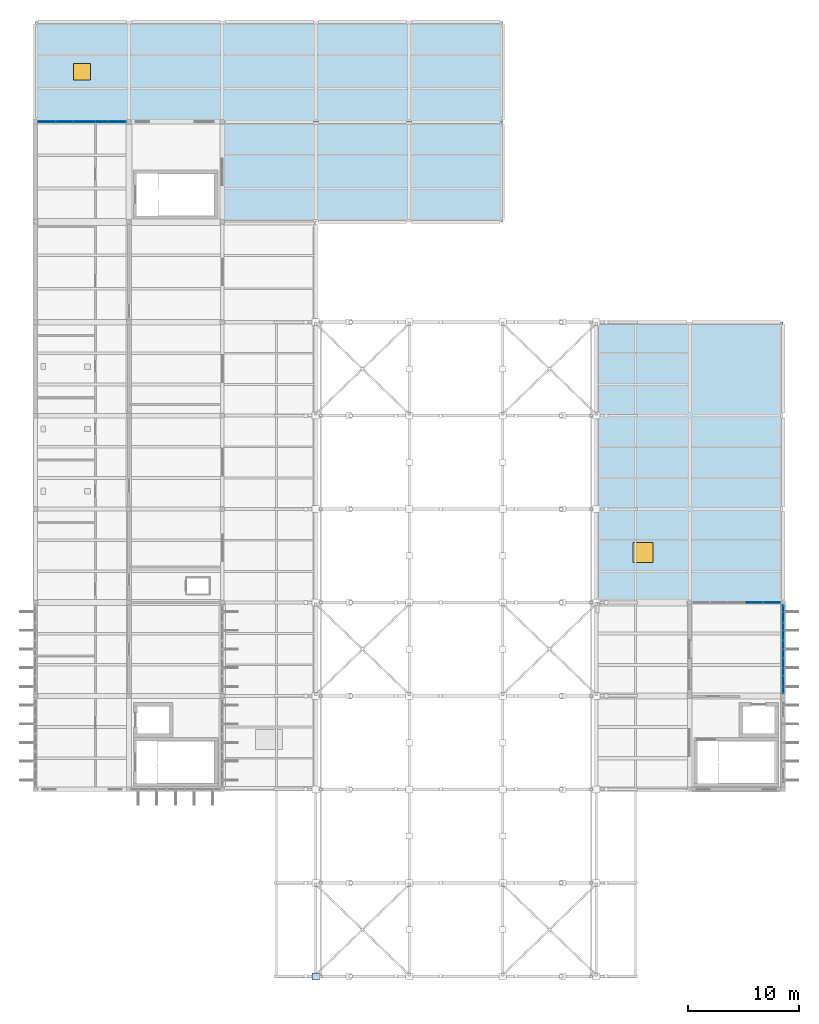
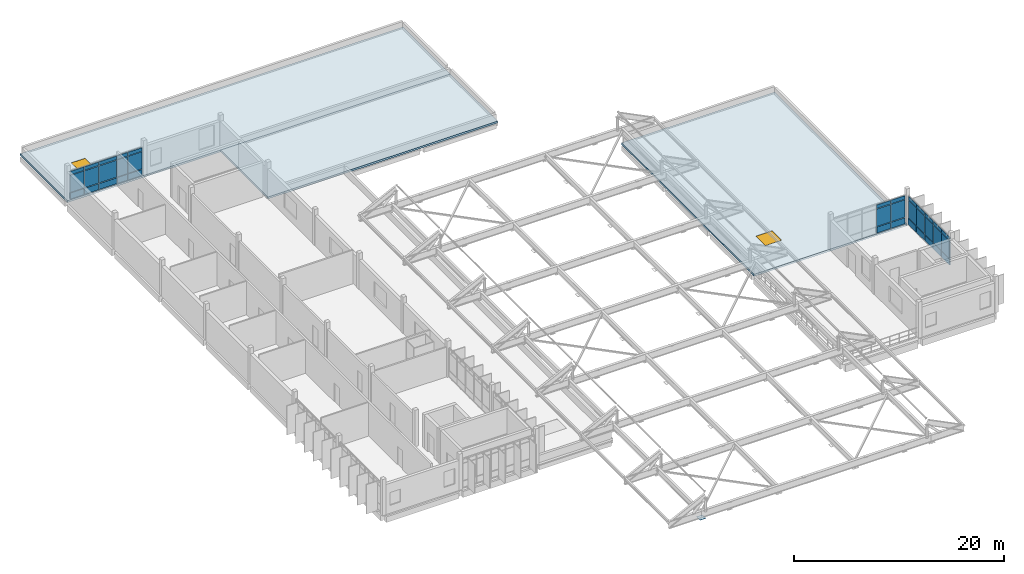
# One storey, part 27 of 41: 37 plates, 3 slabs, 2 windows, 2 openings, 3 elements without a shape of their own.
"""IFC4 building model written with IfcOpenShell, lengths in metres."""

from ifc_helpers import new_model, si_unit, direction, frame, origin, origin_2d, place, context, subcontext, project, spatial, polyline, rectangle, outline, extrude, material, layer, layer_set, type_object, element, fill, aggregate, save


model = new_model("IFC4")

# Units and contexts
model_context = context("Model", 3, precision=1e-05, world=origin(), true_north=direction((0.0, 1.0)))
body_context = subcontext(model_context, "Body", "Model", "MODEL_VIEW")
ifc_project = project(units=[si_unit("LENGTHUNIT", "METRE"), si_unit("AREAUNIT", "SQUARE_METRE"), si_unit("VOLUMEUNIT", "CUBIC_METRE"), si_unit("PLANEANGLEUNIT", "RADIAN"), si_unit("MASSUNIT", "GRAM", prefix="KILO")], contexts=[model_context])

# Site, building, storey
site_placement = place(None, origin())
site = spatial("IfcSite", under=ifc_project, at=site_placement, CompositionType="ELEMENT")
building_placement = place(site_placement, origin())
building = spatial("IfcBuilding", under=site, at=building_placement, Name="Vireocrest Preparatory School", CompositionType="ELEMENT")
storey_placement = place(building_placement, frame((0.0, 0.0, 21.60009765625)))
storey = spatial("IfcBuildingStorey", under=building, at=storey_placement, Name="L05", CompositionType="ELEMENT", Elevation=21.60009765625)

# Curtain wall, plates
ifc_material_1 = material(Name="Thermally broken aluminium EN AW-6063-T6", Category="aluminium")
ifc_layer_1 = layer(ifc_material_1, 0.179931640625)
ifc_layer_set_1 = layer_set([ifc_layer_1], Name="Thermally broken aluminium EN AW-6063-T6")
curtain_wall_type_1 = type_object("IfcCurtainWallType", Name="Teaching Fin Curtain Wall 8400x4200", PredefinedType="USERDEFINED", material=ifc_layer_set_1)
curtain_wall_1_placement = place(storey_placement, origin())
curtain_wall_1 = element("IfcCurtainWall", 1, at=curtain_wall_1_placement, inside=storey, type_object=curtain_wall_type_1, Name="Curtain Wall CW03 CW_L05_CW03_1092_0524_216", ObjectType="CURTAIN WALL", PredefinedType="USERDEFINED")
ifc_material_2 = material(Name="Insulated triple low-e tempered safety glass", Category="glass")
ifc_layer_2 = layer(ifc_material_2, 0.074951171875)
ifc_layer_set_2 = layer_set([ifc_layer_2], Name="Insulated triple low-e tempered safety glass")
plate_type_1 = type_object("IfcPlateType", Name="Acoustic Triple-Glazed Lab Curtain Panel 75", PredefinedType="CURTAIN_PANEL", material=ifc_layer_set_2)
plate_1_placement = place(storey_placement, frame((109.199951171875, 53.22802734375, 0.88232421875), z_axis=(0.0, 0.0, 1.0), x_axis=(0.0, 1.0, 0.0)))
plate_1 = element("IfcPlate", 2, at=plate_1_placement, type_object=plate_type_1, Name="CW Panel GL2 CW_L05_CW03_1092_0524_216-1-2", PredefinedType="CURTAIN_PANEL", context=body_context, shape_type="SweptSolid", body=[
    extrude(rectangle(XDim=1.52099609375, YDim=0.074951171875, at=origin_2d()), origin(), (0.0, 0.0, 1.0), 2.014892578125),
])
plate_2_placement = place(storey_placement, frame((109.199951171875, 53.22802734375, 2.96240234375), z_axis=(0.0, 0.0, 1.0), x_axis=(0.0, 1.0, 0.0)))
plate_2 = element("IfcPlate", 3, at=plate_2_placement, type_object=plate_type_1, Name="CW Panel GL2 CW_L05_CW03_1092_0524_216-1-3", PredefinedType="CURTAIN_PANEL", context=body_context, shape_type="SweptSolid", body=[
    extrude(rectangle(XDim=1.52099609375, YDim=0.074951171875, at=origin_2d()), origin(), (0.0, 0.0, 1.0), 0.409912109375),
])
plate_3_placement = place(storey_placement, frame((109.199951171875, 54.81396484375, 0.88232421875), z_axis=(0.0, 0.0, 1.0), x_axis=(0.0, 1.0, 0.0)))
plate_3 = element("IfcPlate", 4, at=plate_3_placement, type_object=plate_type_1, Name="CW Panel GL2 CW_L05_CW03_1092_0524_216-2-2", PredefinedType="CURTAIN_PANEL", context=body_context, shape_type="SweptSolid", body=[
    extrude(rectangle(XDim=1.52099609375, YDim=0.074951171875, at=origin_2d()), origin(), (0.0, 0.0, 1.0), 2.014892578125),
])
plate_4_placement = place(storey_placement, frame((109.199951171875, 54.81396484375, 2.96240234375), z_axis=(0.0, 0.0, 1.0), x_axis=(0.0, 1.0, 0.0)))
plate_4 = element("IfcPlate", 5, at=plate_4_placement, type_object=plate_type_1, Name="CW Panel GL2 CW_L05_CW03_1092_0524_216-2-3", PredefinedType="CURTAIN_PANEL", context=body_context, shape_type="SweptSolid", body=[
    extrude(rectangle(XDim=1.52099609375, YDim=0.074951171875, at=origin_2d()), origin(), (0.0, 0.0, 1.0), 0.409912109375),
])
plate_5_placement = place(storey_placement, frame((109.199951171875, 56.39990234375, 0.88232421875), z_axis=(0.0, 0.0, 1.0), x_axis=(0.0, 1.0, 0.0)))
plate_5 = element("IfcPlate", 6, at=plate_5_placement, type_object=plate_type_1, Name="CW Panel GL2 CW_L05_CW03_1092_0524_216-3-2", PredefinedType="CURTAIN_PANEL", context=body_context, shape_type="SweptSolid", body=[
    extrude(rectangle(XDim=1.52099609375, YDim=0.074951171875, at=origin_2d()), origin(), (0.0, 0.0, 1.0), 2.014892578125),
])
plate_6_placement = place(storey_placement, frame((109.199951171875, 56.39990234375, 2.96240234375), z_axis=(0.0, 0.0, 1.0), x_axis=(0.0, 1.0, 0.0)))
plate_6 = element("IfcPlate", 7, at=plate_6_placement, type_object=plate_type_1, Name="CW Panel GL2 CW_L05_CW03_1092_0524_216-3-3", PredefinedType="CURTAIN_PANEL", context=body_context, shape_type="SweptSolid", body=[
    extrude(rectangle(XDim=1.52099609375, YDim=0.074951171875, at=origin_2d()), origin(), (0.0, 0.0, 1.0), 0.409912109375),
])
plate_7_placement = place(storey_placement, frame((109.199951171875, 57.986083984375, 0.88232421875), z_axis=(0.0, 0.0, 1.0), x_axis=(0.0, 1.0, 0.0)))
plate_7 = element("IfcPlate", 8, at=plate_7_placement, type_object=plate_type_1, Name="CW Panel GL2 CW_L05_CW03_1092_0524_216-4-2", PredefinedType="CURTAIN_PANEL", context=body_context, shape_type="SweptSolid", body=[
    extrude(rectangle(XDim=1.52099609375, YDim=0.074951171875, at=origin_2d()), origin(), (0.0, 0.0, 1.0), 2.014892578125),
])
plate_8_placement = place(storey_placement, frame((109.199951171875, 57.986083984375, 2.96240234375), z_axis=(0.0, 0.0, 1.0), x_axis=(0.0, 1.0, 0.0)))
plate_8 = element("IfcPlate", 9, at=plate_8_placement, type_object=plate_type_1, Name="CW Panel GL2 CW_L05_CW03_1092_0524_216-4-3", PredefinedType="CURTAIN_PANEL", context=body_context, shape_type="SweptSolid", body=[
    extrude(rectangle(XDim=1.52099609375, YDim=0.074951171875, at=origin_2d()), origin(), (0.0, 0.0, 1.0), 0.409912109375),
])
plate_9_placement = place(storey_placement, frame((109.199951171875, 59.572021484375, 0.88232421875), z_axis=(0.0, 0.0, 1.0), x_axis=(0.0, 1.0, 0.0)))
plate_9 = element("IfcPlate", 10, at=plate_9_placement, type_object=plate_type_1, Name="CW Panel GL2 CW_L05_CW03_1092_0524_216-5-2", PredefinedType="CURTAIN_PANEL", context=body_context, shape_type="SweptSolid", body=[
    extrude(rectangle(XDim=1.52099609375, YDim=0.074951171875, at=origin_2d()), origin(), (0.0, 0.0, 1.0), 2.014892578125),
])
plate_10_placement = place(storey_placement, frame((109.199951171875, 59.572021484375, 2.96240234375), z_axis=(0.0, 0.0, 1.0), x_axis=(0.0, 1.0, 0.0)))
plate_10 = element("IfcPlate", 11, at=plate_10_placement, type_object=plate_type_1, Name="CW Panel GL2 CW_L05_CW03_1092_0524_216-5-3", PredefinedType="CURTAIN_PANEL", context=body_context, shape_type="SweptSolid", body=[
    extrude(rectangle(XDim=1.52099609375, YDim=0.074951171875, at=origin_2d()), origin(), (0.0, 0.0, 1.0), 0.409912109375),
])

ifc_layer_3 = layer(ifc_material_1, 0.179931640625)
ifc_layer_set_3 = layer_set([ifc_layer_3], Name="Thermally broken aluminium EN AW-6063-T6")
curtain_wall_type_2 = type_object("IfcCurtainWallType", Name="North Street Curtain Wall 8400x4000", PredefinedType="USERDEFINED", material=ifc_layer_set_3)
curtain_wall_2_placement = place(storey_placement, origin())
curtain_wall_2 = element("IfcCurtainWall", 12, at=curtain_wall_2_placement, inside=storey, type_object=curtain_wall_type_2, Name="Curtain Wall CW05 CW_L05_CW05_1010_0606_216", ObjectType="CURTAIN WALL", PredefinedType="USERDEFINED")
plate_11_placement = place(storey_placement, frame((106.5859375, 60.60009765625, 0.88232421875), z_axis=(0.0, 0.0, 1.0), x_axis=(1.0, 0.0, 0.0)))
plate_11 = element("IfcPlate", 13, at=plate_11_placement, type_object=plate_type_1, Name="CW Panel GL2 CW_L05_CW05_1010_0606_216-4-2", PredefinedType="CURTAIN_PANEL", context=body_context, shape_type="SweptSolid", body=[
    extrude(rectangle(XDim=1.52099609375, YDim=0.074951171875, at=origin_2d()), origin(), (0.0, 0.0, 1.0), 2.014892578125),
])
plate_12_placement = place(storey_placement, frame((106.5859375, 60.60009765625, 2.96240234375), z_axis=(0.0, 0.0, 1.0), x_axis=(1.0, 0.0, 0.0)))
plate_12 = element("IfcPlate", 14, at=plate_12_placement, type_object=plate_type_1, Name="CW Panel GL2 CW_L05_CW05_1010_0606_216-4-3", PredefinedType="CURTAIN_PANEL", context=body_context, shape_type="SweptSolid", body=[
    extrude(rectangle(XDim=1.52099609375, YDim=0.074951171875, at=origin_2d()), origin(), (0.0, 0.0, 1.0), 0.409912109375),
])
plate_13_placement = place(storey_placement, frame((108.172119140625, 60.60009765625, 0.88232421875), z_axis=(0.0, 0.0, 1.0), x_axis=(1.0, 0.0, 0.0)))
plate_13 = element("IfcPlate", 15, at=plate_13_placement, type_object=plate_type_1, Name="CW Panel GL2 CW_L05_CW05_1010_0606_216-5-2", PredefinedType="CURTAIN_PANEL", context=body_context, shape_type="SweptSolid", body=[
    extrude(rectangle(XDim=1.52099609375, YDim=0.074951171875, at=origin_2d()), origin(), (0.0, 0.0, 1.0), 2.014892578125),
])
plate_14_placement = place(storey_placement, frame((108.172119140625, 60.60009765625, 2.96240234375), z_axis=(0.0, 0.0, 1.0), x_axis=(1.0, 0.0, 0.0)))
plate_14 = element("IfcPlate", 16, at=plate_14_placement, type_object=plate_type_1, Name="CW Panel GL2 CW_L05_CW05_1010_0606_216-5-3", PredefinedType="CURTAIN_PANEL", context=body_context, shape_type="SweptSolid", body=[
    extrude(rectangle(XDim=1.52099609375, YDim=0.074951171875, at=origin_2d()), origin(), (0.0, 0.0, 1.0), 0.409912109375),
])

ifc_layer_4 = layer(ifc_material_1, 0.179931640625)
ifc_layer_set_4 = layer_set([ifc_layer_4], Name="Thermally broken aluminium EN AW-6063-T6")
curtain_wall_type_3 = type_object("IfcCurtainWallType", Name="Library Reading Bay Glazing 7600x4200", PredefinedType="USERDEFINED", material=ifc_layer_set_4)
curtain_wall_3_placement = place(storey_placement, origin())
curtain_wall_3 = element("IfcCurtainWall", 17, at=curtain_wall_3_placement, inside=storey, type_object=curtain_wall_type_3, Name="Curtain Wall CW16 CW_L05_CW16_0422_1038_216", ObjectType="CURTAIN WALL", PredefinedType="USERDEFINED")
plate_15_placement = place(storey_placement, frame((43.028076171875, 103.800048828125, 0.88232421875), z_axis=(0.0, 0.0, 1.0), x_axis=(1.0, 0.0, 0.0)))
plate_15 = element("IfcPlate", 18, at=plate_15_placement, type_object=plate_type_1, Name="CW Panel GL2 CW_L05_CW16_0422_1038_216-1-2", PredefinedType="CURTAIN_PANEL", context=body_context, shape_type="SweptSolid", body=[
    extrude(rectangle(XDim=1.52099609375, YDim=0.074951171875, at=origin_2d()), origin(), (0.0, 0.0, 1.0), 1.965087890625),
])
plate_16_placement = place(storey_placement, frame((43.028076171875, 103.800048828125, 2.91259765625), z_axis=(0.0, 0.0, 1.0), x_axis=(1.0, 0.0, 0.0)))
plate_16 = element("IfcPlate", 19, at=plate_16_placement, type_object=plate_type_1, Name="CW Panel GL2 CW_L05_CW16_0422_1038_216-1-3", PredefinedType="CURTAIN_PANEL", context=body_context, shape_type="SweptSolid", body=[
    extrude(rectangle(XDim=1.52099609375, YDim=0.074951171875, at=origin_2d()), origin(), (0.0, 0.0, 1.0), 0.409912109375),
])
plate_17_placement = place(storey_placement, frame((44.614013671875, 103.800048828125, 0.88232421875), z_axis=(0.0, 0.0, 1.0), x_axis=(1.0, 0.0, 0.0)))
plate_17 = element("IfcPlate", 20, at=plate_17_placement, type_object=plate_type_1, Name="CW Panel GL2 CW_L05_CW16_0422_1038_216-2-2", PredefinedType="CURTAIN_PANEL", context=body_context, shape_type="SweptSolid", body=[
    extrude(rectangle(XDim=1.52099609375, YDim=0.074951171875, at=origin_2d()), origin(), (0.0, 0.0, 1.0), 1.965087890625),
])
plate_18_placement = place(storey_placement, frame((44.614013671875, 103.800048828125, 2.91259765625), z_axis=(0.0, 0.0, 1.0), x_axis=(1.0, 0.0, 0.0)))
plate_18 = element("IfcPlate", 21, at=plate_18_placement, type_object=plate_type_1, Name="CW Panel GL2 CW_L05_CW16_0422_1038_216-2-3", PredefinedType="CURTAIN_PANEL", context=body_context, shape_type="SweptSolid", body=[
    extrude(rectangle(XDim=1.52099609375, YDim=0.074951171875, at=origin_2d()), origin(), (0.0, 0.0, 1.0), 0.409912109375),
])
plate_19_placement = place(storey_placement, frame((46.403564453125, 103.800048828125, 0.88232421875), z_axis=(0.0, 0.0, 1.0), x_axis=(1.0, 0.0, 0.0)))
plate_19 = element("IfcPlate", 22, at=plate_19_placement, type_object=plate_type_1, Name="CW Panel GL2 CW_L05_CW16_0422_1038_216-3-2", PredefinedType="CURTAIN_PANEL", context=body_context, shape_type="SweptSolid", body=[
    extrude(rectangle(XDim=1.927978515625, YDim=0.074951171875, at=origin_2d()), origin(), (0.0, 0.0, 1.0), 1.965087890625),
])
plate_20_placement = place(storey_placement, frame((46.403564453125, 103.800048828125, 2.91259765625), z_axis=(0.0, 0.0, 1.0), x_axis=(1.0, 0.0, 0.0)))
plate_20 = element("IfcPlate", 23, at=plate_20_placement, type_object=plate_type_1, Name="CW Panel GL2 CW_L05_CW16_0422_1038_216-3-3", PredefinedType="CURTAIN_PANEL", context=body_context, shape_type="SweptSolid", body=[
    extrude(rectangle(XDim=1.927978515625, YDim=0.074951171875, at=origin_2d()), origin(), (0.0, 0.0, 1.0), 0.409912109375),
])
plate_21_placement = place(storey_placement, frame((47.989501953125, 103.800048828125, 0.88232421875), z_axis=(0.0, 0.0, 1.0), x_axis=(1.0, 0.0, 0.0)))
plate_21 = element("IfcPlate", 24, at=plate_21_placement, type_object=plate_type_1, Name="CW Panel GL2 CW_L05_CW16_0422_1038_216-4-2", PredefinedType="CURTAIN_PANEL", context=body_context, shape_type="SweptSolid", body=[
    extrude(rectangle(XDim=1.114013671875, YDim=0.074951171875, at=origin_2d()), origin(), (0.0, 0.0, 1.0), 1.965087890625),
])
plate_22_placement = place(storey_placement, frame((47.989501953125, 103.800048828125, 2.91259765625), z_axis=(0.0, 0.0, 1.0), x_axis=(1.0, 0.0, 0.0)))
plate_22 = element("IfcPlate", 25, at=plate_22_placement, type_object=plate_type_1, Name="CW Panel GL2 CW_L05_CW16_0422_1038_216-4-3", PredefinedType="CURTAIN_PANEL", context=body_context, shape_type="SweptSolid", body=[
    extrude(rectangle(XDim=1.114013671875, YDim=0.074951171875, at=origin_2d()), origin(), (0.0, 0.0, 1.0), 0.409912109375),
])
plate_23_placement = place(storey_placement, frame((49.3720703125, 103.800048828125, 0.88232421875), z_axis=(0.0, 0.0, 1.0), x_axis=(1.0, 0.0, 0.0)))
plate_23 = element("IfcPlate", 26, at=plate_23_placement, type_object=plate_type_1, Name="CW Panel GL2 CW_L05_CW16_0422_1038_216-5-2", PredefinedType="CURTAIN_PANEL", context=body_context, shape_type="SweptSolid", body=[
    extrude(rectangle(XDim=1.52099609375, YDim=0.074951171875, at=origin_2d()), origin(), (0.0, 0.0, 1.0), 1.965087890625),
])
plate_24_placement = place(storey_placement, frame((49.3720703125, 103.800048828125, 2.91259765625), z_axis=(0.0, 0.0, 1.0), x_axis=(1.0, 0.0, 0.0)))
plate_24 = element("IfcPlate", 27, at=plate_24_placement, type_object=plate_type_1, Name="CW Panel GL2 CW_L05_CW16_0422_1038_216-5-3", PredefinedType="CURTAIN_PANEL", context=body_context, shape_type="SweptSolid", body=[
    extrude(rectangle(XDim=1.52099609375, YDim=0.074951171875, at=origin_2d()), origin(), (0.0, 0.0, 1.0), 0.409912109375),
])

# Plate
ifc_material_3 = material(Name="Structural steel ASTM A572 Grade 50", Category="steel")
ifc_layer_5 = layer(ifc_material_3, 0.028076171875)
ifc_layer_set_5 = layer_set([ifc_layer_5], Name="Structural steel ASTM A572 Grade 50")
plate_type_2 = type_object("IfcPlateType", Name="Canopy Girder Upper Steel Node Plate 28", PredefinedType="SHEET", material=ifc_layer_set_5)
plate_25_placement = place(storey_placement, frame((67.199951171875, 27.0, 0.9716796875), z_axis=(0.0, 0.0, 1.0), x_axis=(1.0, 0.0, 0.0)))
element("IfcPlate", 28, at=plate_25_placement, inside=storey, type_object=plate_type_2, Name="Node VN2 Canopy Girder Bearing Plate W1-A1", PredefinedType="SHEET", context=body_context, shape_type="SweptSolid", body=[
    extrude(rectangle(XDim=0.64990234375, YDim=0.64990234375, at=origin_2d()), origin(), (0.0, 0.0, 1.0), 0.028076171875),
])

# Slab, opening, window
ifc_material_4 = material(Name="Concrete 40 MPa", Category="concrete")
ifc_layer_6 = layer(ifc_material_4, 0.219970703125)
ifc_layer_set_6 = layer_set([ifc_layer_6], Name="Concrete 40 MPa")
slab_type = type_object("IfcSlabType", Name="Insulated Flat Concrete Roof Slab 220", PredefinedType="ROOF", material=ifc_layer_set_6)
slab_1_placement = place(storey_placement, frame((0.0, 0.0, -0.22021484375)))
slab_1 = element("IfcSlab", 29, at=slab_1_placement, inside=storey, type_object=slab_type, Name="Slab L05_NORTH_W_ROOF", PredefinedType="ROOF", context=body_context, shape_type="SweptSolid", body=[
    extrude(outline(polyline([(42.0, 103.800048828125), (84.0, 103.800048828125), (84.0, 112.800048828125), (42.0, 112.800048828125), (42.0, 103.800048828125)])), origin(), (0.0, 0.0, 1.0), 0.22021484375),
])
opening_1_placement = place(slab_1_placement, frame((46.199951171875, 108.300048828125, -0.010009765625)))
opening_1 = element("IfcOpeningElement", 30, at=opening_1_placement, cuts=slab_1, Name="Opening SK01", PredefinedType="OPENING", context=body_context, shape_type="SweptSolid", body=[
    extrude(rectangle(XDim=1.5, YDim=1.5, at=origin_2d()), origin(), (0.0, 0.0, 1.0), 0.240234375),
])
ifc_material_5 = material(Name="Tempered solar-control skylight glass", Category="glass")
window_type_1 = type_object("IfcWindowType", Name="Classroom Roof Skylight 1500x1500", PartitioningType="SINGLE_PANEL", PredefinedType="SKYLIGHT", material=ifc_material_5)
window_1_placement = place(opening_1_placement, frame((0.0, 0.0, 0.18017578125)))
window_1 = element("IfcWindow", 31, at=window_1_placement, inside=storey, type_object=window_type_1, Name="Roof Skylight SK01-07", OverallHeight=1.5, OverallWidth=1.5, PartitioningType="SINGLE_PANEL", PredefinedType="SKYLIGHT", context=body_context, shape_type="SweptSolid", body=[
    extrude(rectangle(XDim=1.5, YDim=1.5, at=origin_2d()), origin(), (0.0, 0.0, 1.0), 0.050048828125),
])
fill(opening_1, window_1)

# Slab
slab_2_placement = place(storey_placement, frame((0.0, 0.0, -0.22021484375)))
element("IfcSlab", 32, at=slab_2_placement, inside=storey, type_object=slab_type, Name="Slab L05_NORTH_C_ROOF", PredefinedType="ROOF", context=body_context, shape_type="SweptSolid", body=[
    extrude(outline(polyline([(58.800048828125, 94.800048828125), (84.0, 94.800048828125), (84.0, 103.800048828125), (58.800048828125, 103.800048828125), (58.800048828125, 94.800048828125)])), origin(), (0.0, 0.0, 1.0), 0.22021484375),
])

# Slab, opening, window
slab_3_placement = place(storey_placement, frame((0.0, 0.0, -0.22021484375)))
slab_3 = element("IfcSlab", 33, at=slab_3_placement, inside=storey, type_object=slab_type, Name="Slab L05_EAST_ROOF", PredefinedType="ROOF", context=body_context, shape_type="SweptSolid", body=[
    extrude(outline(polyline([(92.39990234375, 60.60009765625), (109.199951171875, 60.60009765625), (109.199951171875, 85.800048828125), (92.39990234375, 85.800048828125), (92.39990234375, 60.60009765625)])), origin(), (0.0, 0.0, 1.0), 0.22021484375),
])
opening_2_placement = place(slab_3_placement, frame((96.60009765625, 65.10009765625, -0.010009765625)))
opening_2 = element("IfcOpeningElement", 34, at=opening_2_placement, cuts=slab_3, Name="Opening SK02", PredefinedType="OPENING", context=body_context, shape_type="SweptSolid", body=[
    extrude(rectangle(XDim=1.800048828125, YDim=1.800048828125, at=origin_2d()), origin(), (0.0, 0.0, 1.0), 0.240234375),
])
window_type_2 = type_object("IfcWindowType", Name="Corridor Roof Skylight 1800x1800", PartitioningType="SINGLE_PANEL", PredefinedType="SKYLIGHT", material=ifc_material_5)
window_2_placement = place(opening_2_placement, frame((0.0, 0.0, 0.18017578125)))
window_2 = element("IfcWindow", 35, at=window_2_placement, inside=storey, type_object=window_type_2, Name="Roof Skylight SK02-08", OverallHeight=1.800048828125, OverallWidth=1.800048828125, PartitioningType="SINGLE_PANEL", PredefinedType="SKYLIGHT", context=body_context, shape_type="SweptSolid", body=[
    extrude(rectangle(XDim=1.800048828125, YDim=1.800048828125, at=origin_2d()), origin(), (0.0, 0.0, 1.0), 0.050048828125),
])
fill(opening_2, window_2)

# Plate
ifc_material_6 = material(Name="Painted white aluminium cladding EN AW-6063-T6", Category="aluminium")
ifc_layer_7 = layer(ifc_material_6, 0.114990234375)
ifc_layer_set_7 = layer_set([ifc_layer_7], Name="Painted white aluminium cladding EN AW-6063-T6")
plate_type_3 = type_object("IfcPlateType", Name="Insulated White Spandrel Curtain Panel 115", PredefinedType="CURTAIN_PANEL", material=ifc_layer_set_7)
plate_26_placement = place(storey_placement, frame((109.199951171875, 53.22802734375, 0.12744140625), z_axis=(0.0, 0.0, 1.0), x_axis=(0.0, 1.0, 0.0)))
plate_26 = element("IfcPlate", 36, at=plate_26_placement, type_object=plate_type_3, Name="CW Panel SP2 CW_L05_CW03_1092_0524_216-1-1", PredefinedType="CURTAIN_PANEL", context=body_context, shape_type="SweptSolid", body=[
    extrude(rectangle(XDim=1.52099609375, YDim=0.114990234375, at=origin_2d()), origin(), (0.0, 0.0, 1.0), 0.68994140625),
])

plate_27_placement = place(storey_placement, frame((109.199951171875, 54.81396484375, 0.12744140625), z_axis=(0.0, 0.0, 1.0), x_axis=(0.0, 1.0, 0.0)))
plate_27 = element("IfcPlate", 37, at=plate_27_placement, type_object=plate_type_3, Name="CW Panel SP2 CW_L05_CW03_1092_0524_216-2-1", PredefinedType="CURTAIN_PANEL", context=body_context, shape_type="SweptSolid", body=[
    extrude(rectangle(XDim=1.52099609375, YDim=0.114990234375, at=origin_2d()), origin(), (0.0, 0.0, 1.0), 0.68994140625),
])

plate_28_placement = place(storey_placement, frame((109.199951171875, 56.39990234375, 0.12744140625), z_axis=(0.0, 0.0, 1.0), x_axis=(0.0, 1.0, 0.0)))
plate_28 = element("IfcPlate", 38, at=plate_28_placement, type_object=plate_type_3, Name="CW Panel SP2 CW_L05_CW03_1092_0524_216-3-1", PredefinedType="CURTAIN_PANEL", context=body_context, shape_type="SweptSolid", body=[
    extrude(rectangle(XDim=1.52099609375, YDim=0.114990234375, at=origin_2d()), origin(), (0.0, 0.0, 1.0), 0.68994140625),
])

plate_29_placement = place(storey_placement, frame((109.199951171875, 57.986083984375, 0.12744140625), z_axis=(0.0, 0.0, 1.0), x_axis=(0.0, 1.0, 0.0)))
plate_29 = element("IfcPlate", 39, at=plate_29_placement, type_object=plate_type_3, Name="CW Panel SP2 CW_L05_CW03_1092_0524_216-4-1", PredefinedType="CURTAIN_PANEL", context=body_context, shape_type="SweptSolid", body=[
    extrude(rectangle(XDim=1.52099609375, YDim=0.114990234375, at=origin_2d()), origin(), (0.0, 0.0, 1.0), 0.68994140625),
])

plate_30_placement = place(storey_placement, frame((109.199951171875, 59.572021484375, 0.12744140625), z_axis=(0.0, 0.0, 1.0), x_axis=(0.0, 1.0, 0.0)))
plate_30 = element("IfcPlate", 40, at=plate_30_placement, type_object=plate_type_3, Name="CW Panel SP2 CW_L05_CW03_1092_0524_216-5-1", PredefinedType="CURTAIN_PANEL", context=body_context, shape_type="SweptSolid", body=[
    extrude(rectangle(XDim=1.52099609375, YDim=0.114990234375, at=origin_2d()), origin(), (0.0, 0.0, 1.0), 0.68994140625),
])

aggregate(curtain_wall_1, [plate_26, plate_1, plate_2, plate_27, plate_3, plate_4, plate_28, plate_5, plate_6, plate_29, plate_7, plate_8, plate_30, plate_9, plate_10])

plate_31_placement = place(storey_placement, frame((106.5859375, 60.60009765625, 0.12744140625), z_axis=(0.0, 0.0, 1.0), x_axis=(1.0, 0.0, 0.0)))
plate_31 = element("IfcPlate", 41, at=plate_31_placement, type_object=plate_type_3, Name="CW Panel SP2 CW_L05_CW05_1010_0606_216-4-1", PredefinedType="CURTAIN_PANEL", context=body_context, shape_type="SweptSolid", body=[
    extrude(rectangle(XDim=1.52099609375, YDim=0.114990234375, at=origin_2d()), origin(), (0.0, 0.0, 1.0), 0.68994140625),
])

plate_32_placement = place(storey_placement, frame((108.172119140625, 60.60009765625, 0.12744140625), z_axis=(0.0, 0.0, 1.0), x_axis=(1.0, 0.0, 0.0)))
plate_32 = element("IfcPlate", 42, at=plate_32_placement, type_object=plate_type_3, Name="CW Panel SP2 CW_L05_CW05_1010_0606_216-5-1", PredefinedType="CURTAIN_PANEL", context=body_context, shape_type="SweptSolid", body=[
    extrude(rectangle(XDim=1.52099609375, YDim=0.114990234375, at=origin_2d()), origin(), (0.0, 0.0, 1.0), 0.68994140625),
])

aggregate(curtain_wall_2, [plate_31, plate_11, plate_12, plate_32, plate_13, plate_14])

plate_33_placement = place(storey_placement, frame((43.028076171875, 103.800048828125, 0.12744140625), z_axis=(0.0, 0.0, 1.0), x_axis=(1.0, 0.0, 0.0)))
plate_33 = element("IfcPlate", 43, at=plate_33_placement, type_object=plate_type_3, Name="CW Panel SP2 CW_L05_CW16_0422_1038_216-1-1", PredefinedType="CURTAIN_PANEL", context=body_context, shape_type="SweptSolid", body=[
    extrude(rectangle(XDim=1.52099609375, YDim=0.114990234375, at=origin_2d()), origin(), (0.0, 0.0, 1.0), 0.68994140625),
])

plate_34_placement = place(storey_placement, frame((44.614013671875, 103.800048828125, 0.12744140625), z_axis=(0.0, 0.0, 1.0), x_axis=(1.0, 0.0, 0.0)))
plate_34 = element("IfcPlate", 44, at=plate_34_placement, type_object=plate_type_3, Name="CW Panel SP2 CW_L05_CW16_0422_1038_216-2-1", PredefinedType="CURTAIN_PANEL", context=body_context, shape_type="SweptSolid", body=[
    extrude(rectangle(XDim=1.52099609375, YDim=0.114990234375, at=origin_2d()), origin(), (0.0, 0.0, 1.0), 0.68994140625),
])

plate_35_placement = place(storey_placement, frame((46.403564453125, 103.800048828125, 0.12744140625), z_axis=(0.0, 0.0, 1.0), x_axis=(1.0, 0.0, 0.0)))
plate_35 = element("IfcPlate", 45, at=plate_35_placement, type_object=plate_type_3, Name="CW Panel SP2 CW_L05_CW16_0422_1038_216-3-1", PredefinedType="CURTAIN_PANEL", context=body_context, shape_type="SweptSolid", body=[
    extrude(rectangle(XDim=1.927978515625, YDim=0.114990234375, at=origin_2d()), origin(), (0.0, 0.0, 1.0), 0.68994140625),
])

plate_36_placement = place(storey_placement, frame((47.989501953125, 103.800048828125, 0.12744140625), z_axis=(0.0, 0.0, 1.0), x_axis=(1.0, 0.0, 0.0)))
plate_36 = element("IfcPlate", 46, at=plate_36_placement, type_object=plate_type_3, Name="CW Panel SP2 CW_L05_CW16_0422_1038_216-4-1", PredefinedType="CURTAIN_PANEL", context=body_context, shape_type="SweptSolid", body=[
    extrude(rectangle(XDim=1.114013671875, YDim=0.114990234375, at=origin_2d()), origin(), (0.0, 0.0, 1.0), 0.68994140625),
])

plate_37_placement = place(storey_placement, frame((49.3720703125, 103.800048828125, 0.12744140625), z_axis=(0.0, 0.0, 1.0), x_axis=(1.0, 0.0, 0.0)))
plate_37 = element("IfcPlate", 47, at=plate_37_placement, type_object=plate_type_3, Name="CW Panel SP2 CW_L05_CW16_0422_1038_216-5-1", PredefinedType="CURTAIN_PANEL", context=body_context, shape_type="SweptSolid", body=[
    extrude(rectangle(XDim=1.52099609375, YDim=0.114990234375, at=origin_2d()), origin(), (0.0, 0.0, 1.0), 0.68994140625),
])

aggregate(curtain_wall_3, [plate_33, plate_15, plate_16, plate_34, plate_17, plate_18, plate_35, plate_19, plate_20, plate_36, plate_21, plate_22, plate_37, plate_23, plate_24])

save(model, "model.ifc")
